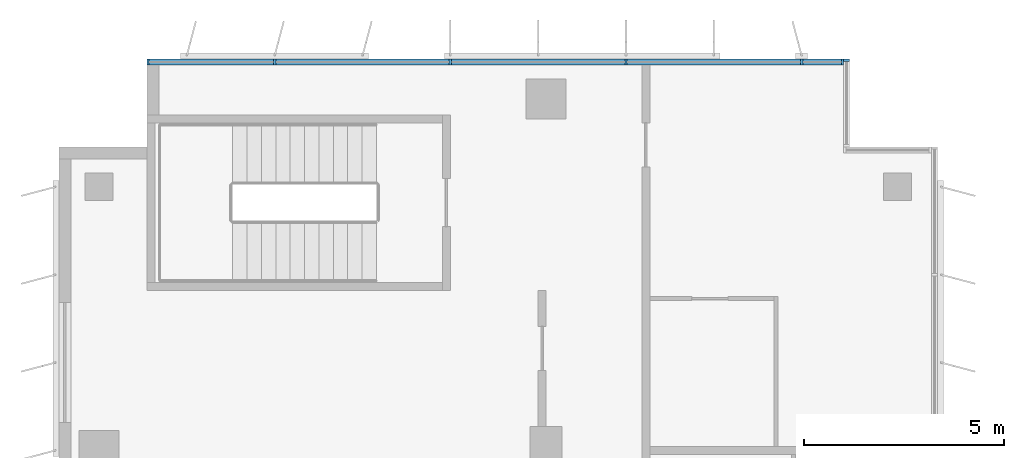
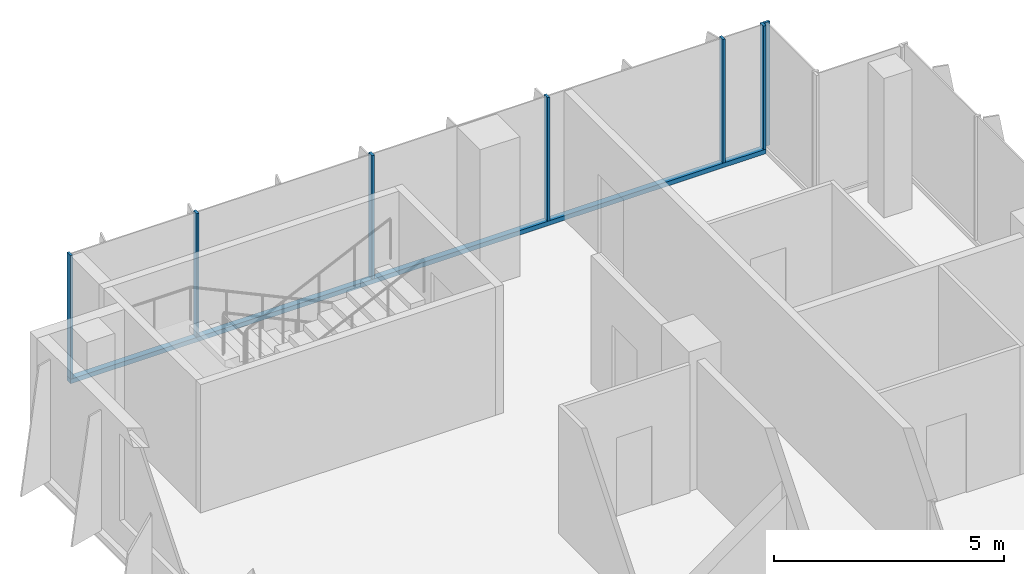
# One storey, part 9 of 21: 8 members, 2 elements without a shape of their own.
"""IFC4 building model written with IfcOpenShell, lengths in metres."""

from ifc_helpers import new_model, si_unit, direction, frame, origin, origin_2d, place, context, subcontext, project, spatial, rectangle, extrude, source, transform, mapped, material, material_profile, profile_set, type_object, element, aggregate, save


model = new_model("IFC4")

# Units and contexts
model_context = context("Model", 3, precision=1e-05, world=origin(), true_north=direction((0.0, 1.0)))
body_context = subcontext(model_context, "Body", "Model", "MODEL_VIEW")
ifc_project = project(units=[si_unit("LENGTHUNIT", "METRE"), si_unit("AREAUNIT", "SQUARE_METRE"), si_unit("VOLUMEUNIT", "CUBIC_METRE"), si_unit("PLANEANGLEUNIT", "RADIAN"), si_unit("MASSUNIT", "GRAM", prefix="KILO")], contexts=[model_context])

# Site, building, storey
site_placement = place(None, origin())
site = spatial("IfcSite", under=ifc_project, at=site_placement, CompositionType="ELEMENT")
building_placement = place(site_placement, origin())
building = spatial("IfcBuilding", under=site, at=building_placement, Name="Kemantara Hotel Tower", CompositionType="ELEMENT")
storey_placement = place(building_placement, frame((0.0, 0.0, 175.300048828125)))
storey = spatial("IfcBuildingStorey", under=building, at=storey_placement, Name="L43", CompositionType="ELEMENT", Elevation=175.300048828125)

# Curtain wall, members
ifc_material_1 = material(Name="Low-E tinted double insulated glass 36 mm", Category="glass")
curtain_wall_type = type_object("IfcCurtainWallType", Name="TOWER CURTAIN WALL, FRONT FACES", PredefinedType="USERDEFINED", material=ifc_material_1)
curtain_wall_1_placement = place(storey_placement, origin())
curtain_wall_1 = element("IfcCurtainWall", 1, at=curtain_wall_1_placement, inside=storey, type_object=curtain_wall_type, Name="CW4 L43 T3-R02-1", ObjectType="TOWER CURTAIN WALL, FRONT FACES", PredefinedType="USERDEFINED")
ifc_material_2 = material(Name="Aluminium 6063-T6 bronze anodised", Category="aluminium")
ifc_material_profile_1 = material_profile(ifc_material_2, rectangle(XDim=0.14990234375, YDim=0.1201171875, at=origin_2d()), Name="TOWER CURTAIN WALL, FRONT FACES TRANSOM")
ifc_profile_set_1 = profile_set([ifc_material_profile_1], Name="Aluminium 6063-T6 bronze anodised")
member_type_1 = type_object("IfcMemberType", Name="TOWER CURTAIN WALL, FRONT FACES TRANSOM", PredefinedType="USERDEFINED", material=ifc_profile_set_1)
member_1_placement = place(storey_placement, frame((19.64990234375, 63.52490234375, 0.06005859375), z_axis=(-1.0, 0.0, 0.0), x_axis=(0.0, -1.0, 0.0)))
member_1 = element("IfcMember", 2, at=member_1_placement, type_object=member_type_1, Name="CW4 sill transom T3-R02-1", ObjectType="TRANSOM", PredefinedType="USERDEFINED", context=body_context, shape_type="SweptSolid", body=[
    extrude(rectangle(XDim=0.14990234375, YDim=0.1201171875, at=origin_2d()), origin(), (0.0, 0.0, 1.0), 17.449951171875),
])
ifc_material_profile_2 = material_profile(ifc_material_2, rectangle(XDim=0.14990234375, YDim=0.06005859375, at=origin_2d()), Name="TOWER CURTAIN WALL, FRONT FACES MULLION")
ifc_profile_set_2 = profile_set([ifc_material_profile_2], Name="Aluminium 6063-T6 bronze anodised")
member_type_2 = type_object("IfcMemberType", Name="TOWER CURTAIN WALL, FRONT FACES MULLION", PredefinedType="MULLION", material=ifc_profile_set_2)
shared_shape = source(origin(), body_context, "Body", "SweptSolid", [
    extrude(rectangle(XDim=0.14990234375, YDim=0.06005859375, at=origin_2d()), origin(), (0.0, 0.0, 1.0), 3.280029296875),
])
member_2_placement = place(storey_placement, frame((19.6201171875, 63.52490234375, 0.119873046875), z_axis=(0.0, 0.0, 1.0), x_axis=(0.0, -1.0, 0.0)))
member_2 = element("IfcMember", 3, at=member_2_placement, type_object=member_type_2, Name="CW4 mullion T3-R02-1.1", PredefinedType="MULLION", context=body_context, shape_type="MappedRepresentation", body=[
    mapped(shared_shape, transform((0.0, 0.0, 0.0))),
])
member_3_placement = place(storey_placement, frame((18.60009765625, 63.52490234375, 0.119873046875), z_axis=(0.0, 0.0, 1.0), x_axis=(0.0, -1.0, 0.0)))
member_3 = element("IfcMember", 4, at=member_3_placement, type_object=member_type_2, Name="CW4 mullion T3-R02-1.2", PredefinedType="MULLION", context=body_context, shape_type="MappedRepresentation", body=[
    mapped(shared_shape, transform((0.0, 0.0, 0.0))),
])
member_4_placement = place(storey_placement, frame((14.199951171875, 63.52490234375, 0.119873046875), z_axis=(0.0, 0.0, 1.0), x_axis=(0.0, -1.0, 0.0)))
member_4 = element("IfcMember", 5, at=member_4_placement, type_object=member_type_2, Name="CW4 mullion T3-R02-1.3", PredefinedType="MULLION", context=body_context, shape_type="MappedRepresentation", body=[
    mapped(shared_shape, transform((0.0, 0.0, 0.0))),
])
member_5_placement = place(storey_placement, frame((9.800048828125, 63.52490234375, 0.119873046875), z_axis=(0.0, 0.0, 1.0), x_axis=(0.0, -1.0, 0.0)))
member_5 = element("IfcMember", 6, at=member_5_placement, type_object=member_type_2, Name="CW4 mullion T3-R02-1.4", PredefinedType="MULLION", context=body_context, shape_type="MappedRepresentation", body=[
    mapped(shared_shape, transform((0.0, 0.0, 0.0))),
])
member_6_placement = place(storey_placement, frame((5.39990234375, 63.52490234375, 0.119873046875), z_axis=(0.0, 0.0, 1.0), x_axis=(0.0, -1.0, 0.0)))
member_6 = element("IfcMember", 7, at=member_6_placement, type_object=member_type_2, Name="CW4 mullion T3-R02-1.5", PredefinedType="MULLION", context=body_context, shape_type="MappedRepresentation", body=[
    mapped(shared_shape, transform((0.0, 0.0, 0.0))),
])
member_7_placement = place(storey_placement, frame((2.22998046875, 63.52490234375, 0.119873046875), z_axis=(0.0, 0.0, 1.0), x_axis=(0.0, -1.0, 0.0)))
member_7 = element("IfcMember", 8, at=member_7_placement, type_object=member_type_2, Name="CW4 mullion T3-R02-1.6", PredefinedType="MULLION", context=body_context, shape_type="MappedRepresentation", body=[
    mapped(shared_shape, transform((0.0, 0.0, 0.0))),
])
aggregate(curtain_wall_1, [member_1, member_2, member_3, member_4, member_5, member_6, member_7])

# Curtain wall, member
curtain_wall_2_placement = place(storey_placement, origin())
curtain_wall_2 = element("IfcCurtainWall", 9, at=curtain_wall_2_placement, inside=storey, type_object=curtain_wall_type, Name="CW4 L43 T3-R01-1", ObjectType="TOWER CURTAIN WALL, FRONT FACES", PredefinedType="USERDEFINED")
member_8_placement = place(storey_placement, frame((19.72509765625, 63.570068359375, 0.119873046875), z_axis=(0.0, 0.0, 1.0), x_axis=(-1.0, 0.0, 0.0)))
member_8 = element("IfcMember", 10, at=member_8_placement, type_object=member_type_2, Name="CW4 mullion T3-R01-1.2", PredefinedType="MULLION", context=body_context, shape_type="MappedRepresentation", body=[
    mapped(shared_shape, transform((0.0, 0.0, 0.0))),
])
aggregate(curtain_wall_2, [member_8])

save(model, "model.ifc")
